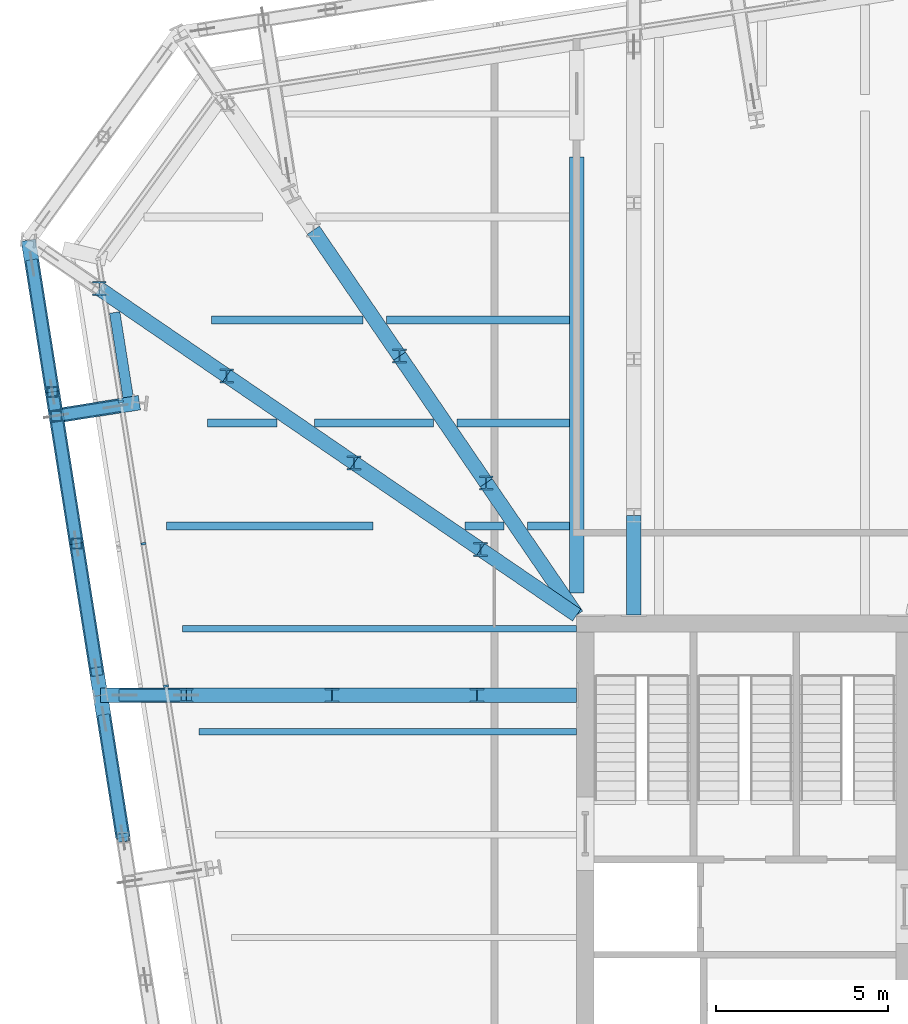
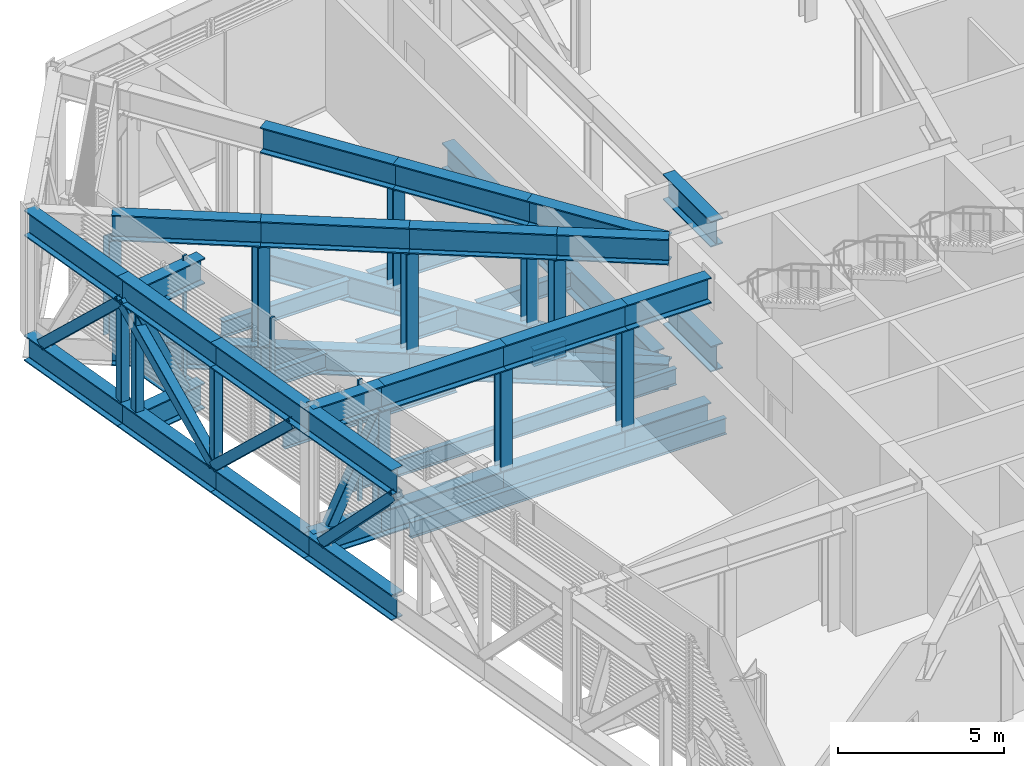
# One storey, part 11 of 35: 46 beams, 21 members, 1 element without a shape of its own.
"""IFC4 building model written with IfcOpenShell, lengths in metres."""

import ifcopenshell
import ifcopenshell.guid

model = None  # the IFC model being written
_history = None  # IfcOwnerHistory: only IFC2X3 demands one
_inside = {}  # id of a spatial element -> (the spatial element, [elements in it])
_under = {}  # id of a project, library or spatial element -> (it, [spatial elements below it])
_declared = {}  # id of a project -> (the project, [libraries it declares])
_typed = {}  # id of a type object -> (the type object, [elements of that type])
_made_of = {}  # id of a material, layer set ... -> (it, [elements and type objects made of it])


def new_model(schema):
    """Start an empty IFC model of exactly this schema.

    Asked for "IFC4X3", IfcOpenShell would pick the latest addendum, in which some entities
    have other attributes; the version numbers below select the first issue.
    IFC2X3 requires an IfcOwnerHistory on every rooted entity: one is made here for all.
    """
    global model, _history
    if schema == "IFC4X3":
        model = ifcopenshell.file(schema_version=(4, 3, 0, 0))
    else:
        model = ifcopenshell.file(schema=schema)
    _inside.clear()
    _under.clear()
    _declared.clear()
    _typed.clear()
    _made_of.clear()
    _history = None
    if model.schema == "IFC2X3":
        org = make("IfcOrganization", Name="unknown")
        user = make(
            "IfcPersonAndOrganization",
            ThePerson=make("IfcPerson", FamilyName="unknown"),
            TheOrganization=org,
        )
        app = make(
            "IfcApplication",
            ApplicationDeveloper=org,
            Version="unknown",
            ApplicationFullName="unknown",
            ApplicationIdentifier="unknown",
        )
        _history = make(
            "IfcOwnerHistory",
            OwningUser=user,
            OwningApplication=app,
            ChangeAction="ADDED",
            CreationDate=0,
        )
    return model


def make(cls, **values):
    """One entity of the class cls with the attributes given. An attribute that is None is left unset."""
    return model.create_entity(
        cls, **{name: value for name, value in values.items() if value is not None}
    )


def rooted(cls, **values):
    """An entity with a GlobalId (a new one), such as an element, a storey or a relation."""
    return make(cls, GlobalId=ifcopenshell.guid.new(), OwnerHistory=_history, **values)


def si_unit(unit_type, name, prefix=None):
    """IfcSIUnit, for example si_unit("LENGTHUNIT", "METRE", prefix="MILLI")."""
    return make("IfcSIUnit", UnitType=unit_type, Prefix=prefix, Name=name)


def assignment(units):
    """IfcUnitAssignment: the units of a project."""
    return None if units is None else make("IfcUnitAssignment", Units=units)


def point(xyz):
    """IfcCartesianPoint."""
    return None if xyz is None else make("IfcCartesianPoint", Coordinates=xyz)


def direction(xyz):
    """IfcDirection."""
    return None if xyz is None else make("IfcDirection", DirectionRatios=xyz)


def frame(location, z_axis=None, x_axis=None):
    """IfcAxis2Placement3D, a coordinate frame: its origin and axes. An axis left out is left unset."""
    return make(
        "IfcAxis2Placement3D",
        Location=point(location),
        Axis=direction(z_axis),
        RefDirection=direction(x_axis),
    )


def frame_2d(location, x_axis=None):
    """IfcAxis2Placement2D, a coordinate frame in the plane: its origin and x axis."""
    return make(
        "IfcAxis2Placement2D", Location=point(location), RefDirection=direction(x_axis)
    )


def origin():
    """The frame at (0, 0, 0) with its axes left unset."""
    return frame((0.0, 0.0, 0.0))


def origin_2d():
    """The frame at (0, 0) in the plane with its x axis left unset."""
    return frame_2d((0.0, 0.0))


def place(relative_to, where):
    """IfcLocalPlacement: puts the frame where relative to a parent placement (None: the world)."""
    return make(
        "IfcLocalPlacement", PlacementRelTo=relative_to, RelativePlacement=where
    )


def context(
    kind, dimensions, precision=None, world=None, true_north=None, identifier=None
):
    """IfcGeometricRepresentationContext, for example the 3D "Model" context."""
    return make(
        "IfcGeometricRepresentationContext",
        ContextIdentifier=identifier,
        ContextType=kind,
        CoordinateSpaceDimension=dimensions,
        Precision=precision,
        WorldCoordinateSystem=world,
        TrueNorth=true_north,
    )


def subcontext(parent, identifier, kind, view, scale=None):
    """IfcGeometricRepresentationSubContext, for example "Body" below "Model"."""
    return make(
        "IfcGeometricRepresentationSubContext",
        ContextIdentifier=identifier,
        ContextType=kind,
        ParentContext=parent,
        TargetScale=scale,
        TargetView=view,
    )


def project(units=None, contexts=None):
    """IfcProject with its units and contexts."""
    return rooted(
        "IfcProject",
        Name="project",
        RepresentationContexts=contexts,
        UnitsInContext=assignment(units),
    )


def spatial(cls, under=None, at=None, **own):
    """A site, building, storey or space (cls), placed at a placement, below another one or the project."""
    s = rooted(cls, ObjectPlacement=at, **own)
    if under is not None:
        _under.setdefault(under.id(), (under, []))[1].append(s)
    return s


def profile(cls, at=None, kind="AREA", **sizes):
    """A parametric profile (cls). Its sizes go by their IFC names, for example OverallWidth=200.0."""
    return make(cls, ProfileType=kind, Position=at, **sizes)


def rectangle(**sizes):
    """IfcRectangleProfileDef."""
    return profile("IfcRectangleProfileDef", **sizes)


def hollow_rectangle(**sizes):
    """IfcRectangleHollowProfileDef."""
    return profile("IfcRectangleHollowProfileDef", **sizes)


def i_section(**sizes):
    """IfcIShapeProfileDef."""
    return profile("IfcIShapeProfileDef", **sizes)


def extrude(swept, where, along, depth):
    """IfcExtrudedAreaSolid: the profile swept, set in the frame where, extruded along a direction by depth."""
    return make(
        "IfcExtrudedAreaSolid",
        SweptArea=swept,
        Position=where,
        ExtrudedDirection=direction(along),
        Depth=depth,
    )


def shape(context_of_items, identifier, shape_type, items):
    """IfcShapeRepresentation: the items that make up one representation, for example the "Body"."""
    return make(
        "IfcShapeRepresentation",
        ContextOfItems=context_of_items,
        RepresentationIdentifier=identifier,
        RepresentationType=shape_type,
        Items=items,
    )


def material(Name=None, Category=None):
    """IfcMaterial."""
    return make("IfcMaterial", Name=Name, Category=Category)


def layer(
    of_material, thickness, ventilated=None, Name=None, Category=None, Priority=None
):
    """IfcMaterialLayer: one layer of a wall or slab, of a material (None: an air gap)."""
    return make(
        "IfcMaterialLayer",
        Material=of_material,
        LayerThickness=thickness,
        IsVentilated=ventilated,
        Name=Name,
        Category=Category,
        Priority=Priority,
    )


def layer_set(layers, Name=None):
    """IfcMaterialLayerSet."""
    return make("IfcMaterialLayerSet", MaterialLayers=layers, LayerSetName=Name)


def material_profile(
    of_material, cross_section, Name=None, Category=None, Priority=None
):
    """IfcMaterialProfile: a cross section and its material."""
    return make(
        "IfcMaterialProfile",
        Name=Name,
        Material=of_material,
        Profile=cross_section,
        Priority=Priority,
        Category=Category,
    )


def profile_set(profiles, Name=None, composite=None):
    """IfcMaterialProfileSet."""
    return make(
        "IfcMaterialProfileSet",
        Name=Name,
        MaterialProfiles=profiles,
        CompositeProfile=composite,
    )


def made_of(thing, what):
    """Note that an element or type object is made of a material, layer set ...; save() writes the relation."""
    if what is not None:
        _made_of.setdefault(what.id(), (what, []))[1].append(thing)
    return thing


def type_object(cls, material=None, **own):
    """A type object (cls), such as IfcWallType, which elements share."""
    return made_of(rooted(cls, **own), material)


def element(
    cls,
    number,
    at=None,
    inside=None,
    cuts=None,
    type_object=None,
    material=None,
    context=None,
    identifier="Body",
    shape_type=None,
    held_by="IfcProductDefinitionShape",
    body=None,
    shapes=None,
    **own,
):
    """One element of the class cls, such as IfcWall. Its Tag is "e" and its number.

    at: its placement. inside: the storey or other place that contains it. cuts: it is an
    opening in that element (IfcRelVoidsElement). A single representation is given by context,
    identifier, shape_type and body (its items); several are given by shapes. held_by: the class
    of the entity that holds the representations. save() writes the other relations.
    """
    e = rooted(cls, Tag="e%d" % number, ObjectPlacement=at, **own)
    if body is not None:
        shapes = [shape(context, identifier, shape_type, body)]
    if shapes is not None:
        e.Representation = make(held_by, Representations=shapes)
    if inside is not None:
        _inside.setdefault(inside.id(), (inside, []))[1].append(e)
    if cuts is not None:
        rooted(
            "IfcRelVoidsElement", RelatingBuildingElement=cuts, RelatedOpeningElement=e
        )
    if type_object is not None:
        _typed.setdefault(type_object.id(), (type_object, []))[1].append(e)
    return made_of(e, material)


def aggregate(whole, parts):
    """IfcRelAggregates: a whole, such as a stair, and the parts it consists of."""
    return rooted("IfcRelAggregates", RelatingObject=whole, RelatedObjects=parts)


def save(model, path):
    """Write the relations noted so far, then the file.

    IfcRelAggregates (storeys below a building ...), IfcRelContainedInSpatialStructure (elements
    in a storey), IfcRelDefinesByType, IfcRelAssociatesMaterial and IfcRelDeclares: one each for
    every whole, place, type object, material and project.
    """
    for whole, parts in _under.values():
        aggregate(whole, parts)
    for where, things in _inside.values():
        rooted(
            "IfcRelContainedInSpatialStructure",
            RelatedElements=things,
            RelatingStructure=where,
        )
    for kind, things in _typed.values():
        rooted("IfcRelDefinesByType", RelatedObjects=things, RelatingType=kind)
    for what, things in _made_of.values():
        rooted("IfcRelAssociatesMaterial", RelatedObjects=things, RelatingMaterial=what)
    for by, libraries in _declared.values():
        rooted("IfcRelDeclares", RelatingContext=by, RelatedDefinitions=libraries)
    model.write(path)


model = new_model("IFC4")

# Units and contexts
model_context = context("Model", 3, precision=1e-05, world=origin(), true_north=direction((0.0, 1.0)))
body_context = subcontext(model_context, "Body", "Model", "MODEL_VIEW")
ifc_project = project(units=[si_unit("LENGTHUNIT", "METRE"), si_unit("AREAUNIT", "SQUARE_METRE"), si_unit("VOLUMEUNIT", "CUBIC_METRE"), si_unit("PLANEANGLEUNIT", "RADIAN"), si_unit("MASSUNIT", "GRAM", prefix="KILO")], contexts=[model_context])

# Site, building, storey
site_placement = place(None, origin())
site = spatial("IfcSite", under=ifc_project, at=site_placement, CompositionType="ELEMENT")
building_placement = place(site_placement, origin())
building = spatial("IfcBuilding", under=site, at=building_placement, Name="Millrace Tower", CompositionType="ELEMENT")
storey_placement = place(building_placement, frame((0.0, 0.0, 200.10009765625)))
storey = spatial("IfcBuildingStorey", under=building, at=storey_placement, Name="L45", CompositionType="ELEMENT", Elevation=200.10009765625)

# Curtain wall, members
ifc_material_1 = material(Name="Aluminium and glass", Category="aluminium")
ifc_layer = layer(ifc_material_1, 0.14990234375)
ifc_layer_set = layer_set([ifc_layer], Name="Aluminium and glass")
curtain_wall_type = type_object("IfcCurtainWallType", Name="CW-5 truss and plant storey louvred infill", PredefinedType="NOTDEFINED", material=ifc_layer_set)
curtain_wall_placement = place(storey_placement, origin())
curtain_wall = element("IfcCurtainWall", 1, at=curtain_wall_placement, inside=storey, type_object=curtain_wall_type, Name="Curtain wall D-F08 L45", PredefinedType="NOTDEFINED")
ifc_material_2 = material(Name="Aluminium", Category="aluminium")
ifc_material_profile_1 = material_profile(ifc_material_2, rectangle(XDim=0.06494140625, YDim=0.14990234375, at=origin_2d()))
ifc_profile_set_1 = profile_set([ifc_material_profile_1], Name="Aluminium")
member_type_1 = type_object("IfcMemberType", Name="CW-5 truss and plant storey louvred infill mullion", PredefinedType="MULLION", material=ifc_profile_set_1)
member_1_placement = place(storey_placement, frame((-27.685302734375, 15.627197265625, 0.139892578125), z_axis=(0.0, 0.0, 1.0), x_axis=(0.156434471884, -0.987688339511, 0.0)))
member_1 = element("IfcMember", 2, at=member_1_placement, type_object=member_type_1, Name="CW5 mullion D-F08.2", PredefinedType="MULLION", context=body_context, shape_type="SweptSolid", body=[
    extrude(rectangle(XDim=0.06494140625, YDim=0.14990234375, at=origin_2d()), origin(), (0.0, 0.0, 1.0), 4.4599609375),
])
member_2_placement = place(storey_placement, frame((-27.0283203125, 11.47900390625, 0.139892578125), z_axis=(0.0, 0.0, 1.0), x_axis=(0.156434471884, -0.987688339511, 0.0)))
member_2 = element("IfcMember", 3, at=member_2_placement, type_object=member_type_1, Name="CW5 mullion D-F08.3", PredefinedType="MULLION", context=body_context, shape_type="SweptSolid", body=[
    extrude(rectangle(XDim=0.06494140625, YDim=0.14990234375, at=origin_2d()), origin(), (0.0, 0.0, 1.0), 4.4599609375),
])
member_3_placement = place(storey_placement, frame((-26.371337890625, 7.33056640625, 0.139892578125), z_axis=(0.0, 0.0, 1.0), x_axis=(0.156434471884, -0.987688339511, 0.0)))
member_3 = element("IfcMember", 4, at=member_3_placement, type_object=member_type_1, Name="CW5 mullion D-F08.4", PredefinedType="MULLION", context=body_context, shape_type="SweptSolid", body=[
    extrude(rectangle(XDim=0.06494140625, YDim=0.14990234375, at=origin_2d()), origin(), (0.0, 0.0, 1.0), 4.4599609375),
])
aggregate(curtain_wall, [member_1, member_2, member_3])

# Beams
ifc_material_3 = material(Name="Steel ASTM A992 Grade 50", Category="steel")
ifc_material_profile_2 = material_profile(ifc_material_3, i_section(OverallWidth=0.1787109375, OverallDepth=0.60205078125, WebThickness=0.010986328125, FlangeThickness=0.014892578125, FilletRadius=0.0126953125, at=origin_2d()))
ifc_profile_set_2 = profile_set([ifc_material_profile_2], Name="Steel ASTM A992 Grade 50")
beam_type_1 = type_object("IfcBeamType", Name="Floor beam W24x62", PredefinedType="JOIST", material=ifc_profile_set_2)
beam_1_placement = place(storey_placement, frame((-25.8828125, 9.0, -0.461181640625), z_axis=(1.0, 0.0, 0.0), x_axis=(0.0, 1.0, 0.0)))
element("IfcBeam", 5, at=beam_1_placement, inside=storey, type_object=beam_type_1, Name="BM-D-L45-S1-S023", PredefinedType="JOIST", context=body_context, shape_type="SweptSolid", body=[
    extrude(i_section(OverallWidth=0.1787109375, OverallDepth=0.60205078125, WebThickness=0.010986328125, FlangeThickness=0.014892578125, FilletRadius=0.0126953125, at=origin_2d()), origin(), (0.0, 0.0, 1.0), 11.48291015625),
])
beam_2_placement = place(storey_placement, frame((-25.407470703125, 6.0, -0.461181640625), z_axis=(1.0, 0.0, 0.0), x_axis=(0.0, 1.0, 0.0)))
element("IfcBeam", 6, at=beam_2_placement, inside=storey, type_object=beam_type_1, Name="BM-D-L45-S1-S021", PredefinedType="JOIST", context=body_context, shape_type="SweptSolid", body=[
    extrude(i_section(OverallWidth=0.1787109375, OverallDepth=0.60205078125, WebThickness=0.010986328125, FlangeThickness=0.014892578125, FilletRadius=0.0126953125, at=origin_2d()), origin(), (0.0, 0.0, 1.0), 11.007568359375),
])
ifc_material_4 = material(Name="Steel ASTM A992 Grade 50", Category="steel")
ifc_material_profile_3 = material_profile(ifc_material_4, i_section(OverallWidth=0.228271484375, OverallDepth=0.607177734375, WebThickness=0.01123046875, FlangeThickness=0.017333984375, FilletRadius=0.0126953125, at=origin_2d()))
ifc_profile_set_3 = profile_set([ifc_material_profile_3], Name="Steel ASTM A992 Grade 50")
beam_type_2 = type_object("IfcBeamType", Name="Floor beam W24x76", PredefinedType="JOIST", material=ifc_profile_set_3)
beam_3_placement = place(storey_placement, frame((-15.83984375, 12.0, -0.463623046875), z_axis=(1.0, 0.0, 0.0), x_axis=(0.0, 1.0, 0.0)))
element("IfcBeam", 7, at=beam_3_placement, inside=storey, type_object=beam_type_2, Name="BM-D-L45-S1-S025-b", PredefinedType="JOIST", context=body_context, shape_type="SweptSolid", body=[
    extrude(i_section(OverallWidth=0.228271484375, OverallDepth=0.607177734375, WebThickness=0.01123046875, FlangeThickness=0.017333984375, FilletRadius=0.0126953125, at=origin_2d()), origin(), (0.0, 0.0, 1.0), 1.230224609375),
])
beam_4_placement = place(storey_placement, frame((-17.892333984375, 15.0, -0.463623046875), z_axis=(1.0, 0.0, 0.0), x_axis=(0.0, 1.0, 0.0)))
element("IfcBeam", 8, at=beam_4_placement, inside=storey, type_object=beam_type_2, Name="BM-D-L45-S1-S027-b", PredefinedType="JOIST", context=body_context, shape_type="SweptSolid", body=[
    extrude(i_section(OverallWidth=0.228271484375, OverallDepth=0.607177734375, WebThickness=0.01123046875, FlangeThickness=0.017333984375, FilletRadius=0.0126953125, at=origin_2d()), origin(), (0.0, 0.0, 1.0), 3.28271484375),
])
beam_5_placement = place(storey_placement, frame((-19.944580078125, 18.0, -0.463623046875), z_axis=(1.0, 0.0, 0.0), x_axis=(0.0, 1.0, 0.0)))
element("IfcBeam", 9, at=beam_5_placement, inside=storey, type_object=beam_type_2, Name="BM-D-L45-S1-S029-b", PredefinedType="JOIST", context=body_context, shape_type="SweptSolid", body=[
    extrude(i_section(OverallWidth=0.228271484375, OverallDepth=0.607177734375, WebThickness=0.01123046875, FlangeThickness=0.017333984375, FilletRadius=0.0126953125, at=origin_2d()), origin(), (0.0, 0.0, 1.0), 5.3349609375),
])
beam_6_placement = place(storey_placement, frame((-25.04345703125, 18.0, -0.463623046875), z_axis=(1.0, 0.0, 0.0), x_axis=(0.0, 1.0, 0.0)))
element("IfcBeam", 10, at=beam_6_placement, inside=storey, type_object=beam_type_2, Name="BM-D-L45-S1-S029-a-b", PredefinedType="JOIST", context=body_context, shape_type="SweptSolid", body=[
    extrude(i_section(OverallWidth=0.228271484375, OverallDepth=0.607177734375, WebThickness=0.01123046875, FlangeThickness=0.017333984375, FilletRadius=0.0126953125, at=origin_2d()), origin(), (0.0, 0.0, 1.0), 4.422119140625),
])
beam_7_placement = place(storey_placement, frame((-26.35791015625, 12.0, -0.463623046875), z_axis=(1.0, 0.0, 0.0), x_axis=(0.0, 1.0, 0.0)))
element("IfcBeam", 11, at=beam_7_placement, inside=storey, type_object=beam_type_2, Name="BM-D-L45-S1-S025-a-a", PredefinedType="JOIST", context=body_context, shape_type="SweptSolid", body=[
    extrude(i_section(OverallWidth=0.228271484375, OverallDepth=0.607177734375, WebThickness=0.01123046875, FlangeThickness=0.017333984375, FilletRadius=0.0126953125, at=origin_2d()), origin(), (0.0, 0.0, 1.0), 6.023681640625),
])
beam_8_placement = place(storey_placement, frame((-17.65673828125, 12.0, -0.463623046875), z_axis=(1.0, 0.0, 0.0), x_axis=(0.0, 1.0, 0.0)))
element("IfcBeam", 12, at=beam_8_placement, inside=storey, type_object=beam_type_2, Name="BM-D-L45-S1-S025-a-b", PredefinedType="JOIST", context=body_context, shape_type="SweptSolid", body=[
    extrude(i_section(OverallWidth=0.228271484375, OverallDepth=0.607177734375, WebThickness=0.01123046875, FlangeThickness=0.017333984375, FilletRadius=0.0126953125, at=origin_2d()), origin(), (0.0, 0.0, 1.0), 1.14013671875),
])
beam_9_placement = place(storey_placement, frame((-25.157470703125, 15.0, -0.463623046875), z_axis=(1.0, 0.0, 0.0), x_axis=(0.0, 1.0, 0.0)))
element("IfcBeam", 13, at=beam_9_placement, inside=storey, type_object=beam_type_2, Name="BM-D-L45-S1-S027-a-a", PredefinedType="JOIST", context=body_context, shape_type="SweptSolid", body=[
    extrude(i_section(OverallWidth=0.228271484375, OverallDepth=0.607177734375, WebThickness=0.01123046875, FlangeThickness=0.017333984375, FilletRadius=0.0126953125, at=origin_2d()), origin(), (0.0, 0.0, 1.0), 2.020751953125),
])
beam_10_placement = place(storey_placement, frame((-22.04443359375, 15.0, -0.463623046875), z_axis=(1.0, 0.0, 0.0), x_axis=(0.0, 1.0, 0.0)))
element("IfcBeam", 14, at=beam_10_placement, inside=storey, type_object=beam_type_2, Name="BM-D-L45-S1-S027-a-b", PredefinedType="JOIST", context=body_context, shape_type="SweptSolid", body=[
    extrude(i_section(OverallWidth=0.228271484375, OverallDepth=0.607177734375, WebThickness=0.01123046875, FlangeThickness=0.017333984375, FilletRadius=0.0126953125, at=origin_2d()), origin(), (0.0, 0.0, 1.0), 3.475341796875),
])
ifc_material_5 = material(Name="Steel ASTM A992 Grade 50", Category="steel")
ifc_material_profile_4 = material_profile(ifc_material_5, i_section(OverallWidth=0.424072265625, OverallDepth=0.947509765625, WebThickness=0.02392578125, FlangeThickness=0.042724609375, FilletRadius=0.024169921875, at=origin_2d()))
ifc_profile_set_4 = profile_set([ifc_material_profile_4], Name="Steel ASTM A992 Grade 50")
beam_type_3 = type_object("IfcBeamType", Name="Girder medium span W36x302", PredefinedType="BEAM", material=ifc_profile_set_4)
beam_11_placement = place(storey_placement, frame((-14.39990234375, 10.041015625, -0.6337890625), z_axis=(0.0, 1.0, 0.0), x_axis=(-1.0, 0.0, 0.0)))
element("IfcBeam", 15, at=beam_11_placement, inside=storey, type_object=beam_type_3, Name="BM-D-L45-S1-G054-a", PredefinedType="BEAM", context=body_context, shape_type="SweptSolid", body=[
    extrude(i_section(OverallWidth=0.424072265625, OverallDepth=0.947509765625, WebThickness=0.02392578125, FlangeThickness=0.042724609375, FilletRadius=0.024169921875, at=origin_2d()), origin(), (0.0, 0.0, 1.0), 12.705322265625),
])
ifc_material_6 = material(Name="Steel ASTM A992 Grade 50", Category="steel")
ifc_material_profile_5 = material_profile(ifc_material_6, i_section(OverallWidth=0.307373046875, OverallDepth=0.927001953125, WebThickness=0.01953125, FlangeThickness=0.031982421875, FilletRadius=0.01904296875, at=origin_2d()))
ifc_profile_set_5 = profile_set([ifc_material_profile_5], Name="Steel ASTM A992 Grade 50")
beam_type_4 = type_object("IfcBeamType", Name="Ring beam short span W36x194", PredefinedType="SPANDREL", material=ifc_profile_set_5)
beam_12_placement = place(storey_placement, frame((-27.473876953125, 15.753173828125, -0.62353515625), z_axis=(-0.156464720495, 0.987683548127, 0.0), x_axis=(-0.987683548127, -0.156464720495, 0.0)))
element("IfcBeam", 16, at=beam_12_placement, inside=storey, type_object=beam_type_4, Name="RNG-D-L45-S1-03-b", PredefinedType="SPANDREL", context=body_context, shape_type="SweptSolid", body=[
    extrude(i_section(OverallWidth=0.307373046875, OverallDepth=0.927001953125, WebThickness=0.01953125, FlangeThickness=0.031982421875, FilletRadius=0.01904296875, at=origin_2d()), origin(), (0.0, 0.0, 1.0), 2.49658203125),
])

# Members
ifc_material_7 = material(Name="Steel ASTM A992 Grade 50", Category="steel")
ifc_material_profile_6 = material_profile(ifc_material_7, i_section(OverallWidth=0.40380859375, OverallDepth=0.406494140625, WebThickness=0.027099609375, FlangeThickness=0.043701171875, FilletRadius=0.01513671875, at=origin_2d()))
ifc_profile_set_6 = profile_set([ifc_material_profile_6], Name="Steel ASTM A992 Grade 50")
member_type_2 = type_object("IfcMemberType", Name="Transfer truss Vierendeel moment post W14x233", PredefinedType="POST", material=ifc_profile_set_6)
for number, where, z_axis, x_axis, name in (
    (17, (-19.56103515625, 16.9462890625, -0.16015625), (0.0, 0.0, 1.0), (1.0, 0.0, 0.0), "TRS-L45-C13-V03"),
    (18, (-17.036376953125, 13.254638671875, -0.16015625), (0.0, 0.0, 1.0), (1.0, 0.0, 0.0), "TRS-L45-C13-V04"),
    (19, (-28.314697265625, 18.91357421875, -0.16015625), (0.0, 0.0, 1.0), (1.0, 0.0, 0.0), "TRS-L45-C14-V01"),
    (20, (-24.599853515625, 16.373779296875, -0.16015625), (0.0, 0.0, 1.0), (1.0, 0.0, 0.0), "TRS-L45-C14-V02"),
    (21, (-20.88525390625, 13.833984375, -0.16015625), (0.0, 0.0, 1.0), (1.0, 0.0, 0.0), "TRS-L45-C14-V03"),
    (22, (-17.198486328125, 11.3134765625, -0.16015625), (0.0, 0.0, 1.0), (1.0, 0.0, 0.0), "TRS-L45-C14-V04"),
    (23, (-25.77783203125, 7.0615234375, -0.16015625), (0.0, 0.0, 1.0), (1.0, 0.0, 0.0), "TRS-L45-C15-V01"),
    (24, (-21.52783203125, 7.0615234375, -0.16015625), (0.0, 0.0, 1.0), (1.0, 0.0, 0.0), "TRS-L45-C15-V02"),
    (25, (-17.300048828125, 7.0615234375, -0.16015625), (0.0, 0.0, 1.0), (1.0, 0.0, 0.0), "TRS-L45-C15-V03"),
):
    element("IfcMember", number, at=place(storey_placement, frame(where, z_axis=z_axis, x_axis=x_axis)), inside=storey, type_object=member_type_2, Name=name, PredefinedType="POST", context=body_context, shape_type="SweptSolid", body=[
        extrude(i_section(OverallWidth=0.40380859375, OverallDepth=0.406494140625, WebThickness=0.027099609375, FlangeThickness=0.043701171875, FilletRadius=0.01513671875, at=origin_2d()), origin(), (0.0, 0.0, 1.0), 3.652587890625),
    ])

# Beams
ifc_material_8 = material(Name="Steel ASTM A992 Grade 50", Category="steel")
ifc_material_profile_7 = material_profile(ifc_material_8, i_section(OverallWidth=0.424072265625, OverallDepth=0.947509765625, WebThickness=0.02392578125, FlangeThickness=0.042724609375, FilletRadius=0.024169921875, at=origin_2d()))
ifc_profile_set_7 = profile_set([ifc_material_profile_7], Name="Steel ASTM A992 Grade 50")
beam_type_5 = type_object("IfcBeamType", Name="Transfer truss chord W36x302", PredefinedType="BEAM", material=ifc_profile_set_7)
for number, where, z_axis, x_axis, name in (
    (26, (-30.37841796875, 20.32470703125, -0.6337890625), (0.156424684061, -0.9876898897, 0.0), (0.9876898897, 0.156424684061, 0.0), "TRS-L45-R14-B01"),
    (27, (-30.37841796875, 20.32470703125, 3.96630859375), (0.156424684061, -0.9876898897, 0.0), (0.9876898897, 0.156424684061, 0.0), "TRS-L45-R14-T01"),
):
    element("IfcBeam", number, at=place(storey_placement, frame(where, z_axis=z_axis, x_axis=x_axis)), inside=storey, type_object=beam_type_5, Name=name, PredefinedType="BEAM", context=body_context, shape_type="SweptSolid", body=[
        extrude(i_section(OverallWidth=0.424072265625, OverallDepth=0.947509765625, WebThickness=0.02392578125, FlangeThickness=0.042724609375, FilletRadius=0.024169921875, at=origin_2d()), origin(), (0.0, 0.0, 1.0), 4.476318359375),
    ])
for number, where, z_axis, x_axis, name in (
    (28, (-29.67822265625, 15.903564453125, -0.6337890625), (0.156433111103, -0.987688555037, 0.0), (0.987688555037, 0.156433111103, 0.0), "TRS-L45-R14-B02"),
    (29, (-29.67822265625, 15.903564453125, 3.96630859375), (0.156433111103, -0.987688555037, 0.0), (0.987688555037, 0.156433111103, 0.0), "TRS-L45-R14-T02"),
):
    element("IfcBeam", number, at=place(storey_placement, frame(where, z_axis=z_axis, x_axis=x_axis)), inside=storey, type_object=beam_type_5, Name=name, PredefinedType="BEAM", context=body_context, shape_type="SweptSolid", body=[
        extrude(i_section(OverallWidth=0.424072265625, OverallDepth=0.947509765625, WebThickness=0.02392578125, FlangeThickness=0.042724609375, FilletRadius=0.024169921875, at=origin_2d()), origin(), (0.0, 0.0, 1.0), 4.47607421875),
    ])
for number, where, z_axis, x_axis, name in (
    (30, (-28.97802734375, 11.482666015625, -0.6337890625), (0.156424684061, -0.9876898897, 0.0), (0.9876898897, 0.156424684061, 0.0), "TRS-L45-R14-B03"),
    (31, (-28.97802734375, 11.482666015625, 3.96630859375), (0.156424684061, -0.9876898897, 0.0), (0.9876898897, 0.156424684061, 0.0), "TRS-L45-R14-T03"),
):
    element("IfcBeam", number, at=place(storey_placement, frame(where, z_axis=z_axis, x_axis=x_axis)), inside=storey, type_object=beam_type_5, Name=name, PredefinedType="BEAM", context=body_context, shape_type="SweptSolid", body=[
        extrude(i_section(OverallWidth=0.424072265625, OverallDepth=0.947509765625, WebThickness=0.02392578125, FlangeThickness=0.042724609375, FilletRadius=0.024169921875, at=origin_2d()), origin(), (0.0, 0.0, 1.0), 4.476318359375),
    ])
for number, where, z_axis, x_axis, name in (
    (32, (-28.27783203125, 7.0615234375, -0.6337890625), (0.156484932693, -0.987680345982, 0.0), (0.987680345982, 0.156484932693, 0.0), "TRS-L45-R15-B01"),
    (33, (-28.27783203125, 7.0615234375, 3.96630859375), (0.156484932693, -0.987680345982, 0.0), (0.987680345982, 0.156484932693, 0.0), "TRS-L45-R15-T01"),
):
    element("IfcBeam", number, at=place(storey_placement, frame(where, z_axis=z_axis, x_axis=x_axis)), inside=storey, type_object=beam_type_5, Name=name, PredefinedType="BEAM", context=body_context, shape_type="SweptSolid", body=[
        extrude(i_section(OverallWidth=0.424072265625, OverallDepth=0.947509765625, WebThickness=0.02392578125, FlangeThickness=0.042724609375, FilletRadius=0.024169921875, at=origin_2d()), origin(), (0.0, 0.0, 1.0), 4.199951171875),
    ])
for number, where, z_axis, x_axis, name in (
    (34, (-12.7333984375, 12.300048828125, -0.6337890625), (0.0, -1.0, 0.0), (1.0, 0.0, 0.0), "TRS-L45-C12-B05"),
    (35, (-12.7333984375, 12.300048828125, 3.96630859375), (0.0, -1.0, 0.0), (1.0, 0.0, 0.0), "TRS-L45-C12-T05"),
):
    element("IfcBeam", number, at=place(storey_placement, frame(where, z_axis=z_axis, x_axis=x_axis)), inside=storey, type_object=beam_type_5, Name=name, PredefinedType="BEAM", context=body_context, shape_type="SweptSolid", body=[
        extrude(i_section(OverallWidth=0.424072265625, OverallDepth=0.947509765625, WebThickness=0.02392578125, FlangeThickness=0.042724609375, FilletRadius=0.024169921875, at=origin_2d()), origin(), (0.0, 0.0, 1.0), 2.900146484375),
    ])
for number, where, z_axis, x_axis, name in (
    (36, (-22.072998046875, 20.619384765625, -0.6337890625), (0.564499019006, -0.825433739037, 0.0), (0.825433739037, 0.564499019006, 0.0), "TRS-L45-C13-B03"),
    (37, (-22.072998046875, 20.619384765625, 3.96630859375), (0.564499019006, -0.825433739037, 0.0), (0.825433739037, 0.564499019006, 0.0), "TRS-L45-C13-T03"),
):
    element("IfcBeam", number, at=place(storey_placement, frame(where, z_axis=z_axis, x_axis=x_axis)), inside=storey, type_object=beam_type_5, Name=name, PredefinedType="BEAM", context=body_context, shape_type="SweptSolid", body=[
        extrude(i_section(OverallWidth=0.424072265625, OverallDepth=0.947509765625, WebThickness=0.02392578125, FlangeThickness=0.042724609375, FilletRadius=0.024169921875, at=origin_2d()), origin(), (0.0, 0.0, 1.0), 4.449951171875),
    ])
for number, where, z_axis, x_axis, name in (
    (38, (-19.56103515625, 16.9462890625, -0.6337890625), (0.564499948532, -0.825433103351, 0.0), (0.825433103351, 0.564499948532, 0.0), "TRS-L45-C13-B04"),
    (39, (-19.56103515625, 16.9462890625, 3.96630859375), (0.564499948532, -0.825433103351, 0.0), (0.825433103351, 0.564499948532, 0.0), "TRS-L45-C13-T04"),
):
    element("IfcBeam", number, at=place(storey_placement, frame(where, z_axis=z_axis, x_axis=x_axis)), inside=storey, type_object=beam_type_5, Name=name, PredefinedType="BEAM", context=body_context, shape_type="SweptSolid", body=[
        extrude(i_section(OverallWidth=0.424072265625, OverallDepth=0.947509765625, WebThickness=0.02392578125, FlangeThickness=0.042724609375, FilletRadius=0.024169921875, at=origin_2d()), origin(), (0.0, 0.0, 1.0), 4.472412109375),
    ])
for number, where, z_axis, x_axis, name in (
    (40, (-17.036376953125, 13.254638671875, -0.6337890625), (0.564541476474, -0.82540470155, 0.0), (0.82540470155, 0.564541476474, 0.0), "TRS-L45-C13-B05"),
    (41, (-17.036376953125, 13.254638671875, 3.96630859375), (0.564541476474, -0.82540470155, 0.0), (0.82540470155, 0.564541476474, 0.0), "TRS-L45-C13-T05"),
):
    element("IfcBeam", number, at=place(storey_placement, frame(where, z_axis=z_axis, x_axis=x_axis)), inside=storey, type_object=beam_type_5, Name=name, PredefinedType="BEAM", context=body_context, shape_type="SweptSolid", body=[
        extrude(i_section(OverallWidth=0.424072265625, OverallDepth=0.947509765625, WebThickness=0.02392578125, FlangeThickness=0.042724609375, FilletRadius=0.024169921875, at=origin_2d()), origin(), (0.0, 0.0, 1.0), 4.670166015625),
    ])
for number, where, z_axis, x_axis, name in (
    (42, (-28.314697265625, 18.91357421875, -0.6337890625), (0.825508148487, -0.564390199048, 0.0), (0.564390199048, 0.825508148487, 0.0), "TRS-L45-C14-B02"),
    (43, (-28.314697265625, 18.91357421875, 3.96630859375), (0.825508148487, -0.564390199048, 0.0), (0.564390199048, 0.825508148487, 0.0), "TRS-L45-C14-T02"),
):
    element("IfcBeam", number, at=place(storey_placement, frame(where, z_axis=z_axis, x_axis=x_axis)), inside=storey, type_object=beam_type_5, Name=name, PredefinedType="BEAM", context=body_context, shape_type="SweptSolid", body=[
        extrude(i_section(OverallWidth=0.424072265625, OverallDepth=0.947509765625, WebThickness=0.02392578125, FlangeThickness=0.042724609375, FilletRadius=0.024169921875, at=origin_2d()), origin(), (0.0, 0.0, 1.0), 4.5),
    ])
for number, where, z_axis, x_axis, name in (
    (44, (-24.599853515625, 16.373779296875, -0.6337890625), (0.825490865892, -0.564415476692, 0.0), (0.564415476692, 0.825490865892, 0.0), "TRS-L45-C14-B03"),
    (45, (-24.599853515625, 16.373779296875, 3.96630859375), (0.825490865892, -0.564415476692, 0.0), (0.564415476692, 0.825490865892, 0.0), "TRS-L45-C14-T03"),
):
    element("IfcBeam", number, at=place(storey_placement, frame(where, z_axis=z_axis, x_axis=x_axis)), inside=storey, type_object=beam_type_5, Name=name, PredefinedType="BEAM", context=body_context, shape_type="SweptSolid", body=[
        extrude(i_section(OverallWidth=0.424072265625, OverallDepth=0.947509765625, WebThickness=0.02392578125, FlangeThickness=0.042724609375, FilletRadius=0.024169921875, at=origin_2d()), origin(), (0.0, 0.0, 1.0), 4.499755859375),
    ])
for number, where, z_axis, x_axis, name in (
    (46, (-20.88525390625, 13.833984375, -0.6337890625), (0.825517721215, -0.564376197194, 0.0), (0.564376197194, 0.825517721215, 0.0), "TRS-L45-C14-B04"),
    (47, (-20.88525390625, 13.833984375, 3.96630859375), (0.825517721215, -0.564376197194, 0.0), (0.564376197194, 0.825517721215, 0.0), "TRS-L45-C14-T04"),
):
    element("IfcBeam", number, at=place(storey_placement, frame(where, z_axis=z_axis, x_axis=x_axis)), inside=storey, type_object=beam_type_5, Name=name, PredefinedType="BEAM", context=body_context, shape_type="SweptSolid", body=[
        extrude(i_section(OverallWidth=0.424072265625, OverallDepth=0.947509765625, WebThickness=0.02392578125, FlangeThickness=0.042724609375, FilletRadius=0.024169921875, at=origin_2d()), origin(), (0.0, 0.0, 1.0), 4.466064453125),
    ])
for number, where, z_axis, x_axis, name in (
    (48, (-17.198486328125, 11.3134765625, -0.6337890625), (0.82547855851, -0.564433476542, 0.0), (0.564433476542, 0.82547855851, 0.0), "TRS-L45-C14-B05"),
    (49, (-17.198486328125, 11.3134765625, 3.96630859375), (0.82547855851, -0.564433476542, 0.0), (0.564433476542, 0.82547855851, 0.0), "TRS-L45-C14-T05"),
):
    element("IfcBeam", number, at=place(storey_placement, frame(where, z_axis=z_axis, x_axis=x_axis)), inside=storey, type_object=beam_type_5, Name=name, PredefinedType="BEAM", context=body_context, shape_type="SweptSolid", body=[
        extrude(i_section(OverallWidth=0.424072265625, OverallDepth=0.947509765625, WebThickness=0.02392578125, FlangeThickness=0.042724609375, FilletRadius=0.024169921875, at=origin_2d()), origin(), (0.0, 0.0, 1.0), 3.39013671875),
    ])
for number, where, z_axis, x_axis, name in (
    (50, (-28.27783203125, 7.0615234375, -0.6337890625), (1.0, 0.0, 0.0), (0.0, 1.0, 0.0), "TRS-L45-C15-B01"),
    (51, (-28.27783203125, 7.0615234375, 3.96630859375), (1.0, 0.0, 0.0), (0.0, 1.0, 0.0), "TRS-L45-C15-T01"),
):
    element("IfcBeam", number, at=place(storey_placement, frame(where, z_axis=z_axis, x_axis=x_axis)), inside=storey, type_object=beam_type_5, Name=name, PredefinedType="BEAM", context=body_context, shape_type="SweptSolid", body=[
        extrude(i_section(OverallWidth=0.424072265625, OverallDepth=0.947509765625, WebThickness=0.02392578125, FlangeThickness=0.042724609375, FilletRadius=0.024169921875, at=origin_2d()), origin(), (0.0, 0.0, 1.0), 2.5),
    ])
for number, where, z_axis, x_axis, name in (
    (52, (-25.77783203125, 7.0615234375, -0.6337890625), (1.0, 0.0, 0.0), (0.0, 1.0, 0.0), "TRS-L45-C15-B02"),
    (53, (-25.77783203125, 7.0615234375, 3.96630859375), (1.0, 0.0, 0.0), (0.0, 1.0, 0.0), "TRS-L45-C15-T02"),
):
    element("IfcBeam", number, at=place(storey_placement, frame(where, z_axis=z_axis, x_axis=x_axis)), inside=storey, type_object=beam_type_5, Name=name, PredefinedType="BEAM", context=body_context, shape_type="SweptSolid", body=[
        extrude(i_section(OverallWidth=0.424072265625, OverallDepth=0.947509765625, WebThickness=0.02392578125, FlangeThickness=0.042724609375, FilletRadius=0.024169921875, at=origin_2d()), origin(), (0.0, 0.0, 1.0), 4.25),
    ])
for number, where, z_axis, x_axis, name in (
    (54, (-21.52783203125, 7.0615234375, -0.6337890625), (1.0, 0.0, 0.0), (0.0, 1.0, 0.0), "TRS-L45-C15-B03"),
    (55, (-21.52783203125, 7.0615234375, 3.96630859375), (1.0, 0.0, 0.0), (0.0, 1.0, 0.0), "TRS-L45-C15-T03"),
):
    element("IfcBeam", number, at=place(storey_placement, frame(where, z_axis=z_axis, x_axis=x_axis)), inside=storey, type_object=beam_type_5, Name=name, PredefinedType="BEAM", context=body_context, shape_type="SweptSolid", body=[
        extrude(i_section(OverallWidth=0.424072265625, OverallDepth=0.947509765625, WebThickness=0.02392578125, FlangeThickness=0.042724609375, FilletRadius=0.024169921875, at=origin_2d()), origin(), (0.0, 0.0, 1.0), 4.227783203125),
    ])
for number, where, z_axis, x_axis, name in (
    (56, (-17.300048828125, 7.0615234375, -0.6337890625), (1.0, 0.0, 0.0), (0.0, 1.0, 0.0), "TRS-L45-C15-B04"),
    (57, (-17.300048828125, 7.0615234375, 3.96630859375), (1.0, 0.0, 0.0), (0.0, 1.0, 0.0), "TRS-L45-C15-T04"),
):
    element("IfcBeam", number, at=place(storey_placement, frame(where, z_axis=z_axis, x_axis=x_axis)), inside=storey, type_object=beam_type_5, Name=name, PredefinedType="BEAM", context=body_context, shape_type="SweptSolid", body=[
        extrude(i_section(OverallWidth=0.424072265625, OverallDepth=0.947509765625, WebThickness=0.02392578125, FlangeThickness=0.042724609375, FilletRadius=0.024169921875, at=origin_2d()), origin(), (0.0, 0.0, 1.0), 2.900146484375),
    ])
for number, where, z_axis, x_axis, name in (
    (58, (-27.142578125, 15.5908203125, -0.6337890625), (-0.987696698977, -0.156381683168, 0.0), (0.156381683168, -0.987696698977, 0.0), "TRS-L45-B-C-X14-B01"),
    (59, (-27.142578125, 15.5908203125, 3.96630859375), (-0.987696698977, -0.156381683168, 0.0), (0.156381683168, -0.987696698977, 0.0), "TRS-L45-B-C-X14-T01"),
):
    element("IfcBeam", number, at=place(storey_placement, frame(where, z_axis=z_axis, x_axis=x_axis)), inside=storey, type_object=beam_type_5, Name=name, PredefinedType="BEAM", context=body_context, shape_type="SweptSolid", body=[
        extrude(i_section(OverallWidth=0.424072265625, OverallDepth=0.947509765625, WebThickness=0.02392578125, FlangeThickness=0.042724609375, FilletRadius=0.024169921875, at=origin_2d()), origin(), (0.0, 0.0, 1.0), 2.243408203125),
    ])

# Members
ifc_material_9 = material(Name="Steel ASTM A500 Grade C", Category="steel")
ifc_material_profile_8 = material_profile(ifc_material_9, hollow_rectangle(XDim=0.355712890625, YDim=0.355712890625, WallThickness=0.015869140625, InnerFilletRadius=0.008056640625, OuterFilletRadius=0.02392578125, at=origin_2d()))
ifc_profile_set_8 = profile_set([ifc_material_profile_8], Name="Steel ASTM A500 Grade C")
member_type_3 = type_object("IfcMemberType", Name="Transfer truss diagonal HSS14x14x5/8", PredefinedType="BRACE", material=ifc_profile_set_8)
member_4_placement = place(storey_placement, frame((-30.268798828125, 19.63330078125, -0.16015625), z_axis=(0.112411989442, -0.709928880818, 0.695244222421), x_axis=(0.987694723912, 0.156394157043, 0.0)))
element("IfcMember", 60, at=member_4_placement, inside=storey, type_object=member_type_3, Name="TRS-L45-R14-D01", PredefinedType="BRACE", context=body_context, shape_type="SweptSolid", body=[
    extrude(hollow_rectangle(XDim=0.355712890625, YDim=0.355712890625, WallThickness=0.015869140625, InnerFilletRadius=0.008056640625, OuterFilletRadius=0.02392578125, at=origin_2d()), origin(), (0.0, 0.0, 1.0), 5.253662109375),
])
member_5_placement = place(storey_placement, frame((-28.97802734375, 11.482666015625, -0.16015625), z_axis=(-0.121199815738, 0.765232309408, 0.632242135026), x_axis=(-0.987688555037, -0.156433111103, 0.0)))
element("IfcMember", 61, at=member_5_placement, inside=storey, type_object=member_type_3, Name="TRS-L45-R14-D02", PredefinedType="BRACE", context=body_context, shape_type="SweptSolid", body=[
    extrude(hollow_rectangle(XDim=0.355712890625, YDim=0.355712890625, WallThickness=0.015869140625, InnerFilletRadius=0.008056640625, OuterFilletRadius=0.02392578125, at=origin_2d()), origin(), (0.0, 0.0, 1.0), 5.777099609375),
])
member_6_placement = place(storey_placement, frame((-28.97802734375, 11.482666015625, -0.16015625), z_axis=(0.112457872298, -0.70992517153, 0.695240589858), x_axis=(0.987684735163, 0.156457227145, 0.0)))
element("IfcMember", 62, at=member_6_placement, inside=storey, type_object=member_type_3, Name="TRS-L45-R14-D03", PredefinedType="BRACE", context=body_context, shape_type="SweptSolid", body=[
    extrude(hollow_rectangle(XDim=0.355712890625, YDim=0.355712890625, WallThickness=0.015869140625, InnerFilletRadius=0.008056640625, OuterFilletRadius=0.02392578125, at=origin_2d()), origin(), (0.0, 0.0, 1.0), 5.253662109375),
])
member_7_placement = place(storey_placement, frame((-28.168212890625, 6.3701171875, -0.16015625), z_axis=(0.108250191413, -0.683332349628, 0.722037946379), x_axis=(0.987683654859, 0.156464046744, 0.0)))
element("IfcMember", 63, at=member_7_placement, inside=storey, type_object=member_type_3, Name="TRS-L45-R15-D01", PredefinedType="BRACE", context=body_context, shape_type="SweptSolid", body=[
    extrude(hollow_rectangle(XDim=0.355712890625, YDim=0.355712890625, WallThickness=0.015869140625, InnerFilletRadius=0.008056640625, OuterFilletRadius=0.02392578125, at=origin_2d()), origin(), (0.0, 0.0, 1.0), 5.058837890625),
])
member_8_placement = place(storey_placement, frame((-27.57763671875, 7.0615234375, -0.16015625), z_axis=(0.442001772063, 0.0, 0.897014176863), x_axis=(0.0, 1.0, 0.0)))
element("IfcMember", 64, at=member_8_placement, inside=storey, type_object=member_type_3, Name="TRS-L45-C15-D01", PredefinedType="BRACE", context=body_context, shape_type="SweptSolid", body=[
    extrude(hollow_rectangle(XDim=0.355712890625, YDim=0.355712890625, WallThickness=0.015869140625, InnerFilletRadius=0.008056640625, OuterFilletRadius=0.02392578125, at=origin_2d()), origin(), (0.0, 0.0, 1.0), 4.072021484375),
])
member_9_placement = place(storey_placement, frame((-27.833984375, 15.4814453125, -0.16015625), z_axis=(-0.42785030696, -0.067774091148, 0.901305046809), x_axis=(0.156455317842, -0.98768503761, 0.0)))
element("IfcMember", 65, at=member_9_placement, inside=storey, type_object=member_type_3, Name="TRS-L45-B-C-X14-D01", PredefinedType="BRACE", context=body_context, shape_type="SweptSolid", body=[
    extrude(hollow_rectangle(XDim=0.355712890625, YDim=0.355712890625, WallThickness=0.015869140625, InnerFilletRadius=0.008056640625, OuterFilletRadius=0.02392578125, at=origin_2d()), origin(), (0.0, 0.0, 1.0), 4.052490234375),
])
ifc_material_10 = material(Name="Steel ASTM A500 Grade C", Category="steel")
ifc_material_profile_9 = material_profile(ifc_material_10, hollow_rectangle(XDim=0.3046875, YDim=0.3046875, WallThickness=0.0126953125, InnerFilletRadius=0.00634765625, OuterFilletRadius=0.01904296875, at=origin_2d()))
ifc_profile_set_9 = profile_set([ifc_material_profile_9], Name="Steel ASTM A500 Grade C")
member_type_4 = type_object("IfcMemberType", Name="Transfer truss post HSS12x12x1/2", PredefinedType="POST", material=ifc_profile_set_9)
for number, where, z_axis, x_axis, name in (
    (66, (-29.67822265625, 15.903564453125, -0.16015625), (0.0, 0.0, 1.0), (1.0, 0.0, 0.0), "TRS-L45-R14-V01"),
    (67, (-28.97802734375, 11.482666015625, -0.16015625), (0.0, 0.0, 1.0), (1.0, 0.0, 0.0), "TRS-L45-R14-V02"),
    (68, (-29.56787109375, 15.206787109375, -0.16015625), (0.0, 0.0, 1.0), (1.0, 0.0, 0.0), "TRS-L45-B-C-X14-V01"),
):
    element("IfcMember", number, at=place(storey_placement, frame(where, z_axis=z_axis, x_axis=x_axis)), inside=storey, type_object=member_type_4, Name=name, PredefinedType="POST", context=body_context, shape_type="SweptSolid", body=[
        extrude(hollow_rectangle(XDim=0.3046875, YDim=0.3046875, WallThickness=0.0126953125, InnerFilletRadius=0.00634765625, OuterFilletRadius=0.01904296875, at=origin_2d()), origin(), (0.0, 0.0, 1.0), 3.652587890625),
    ])

save(model, "model.ifc")
